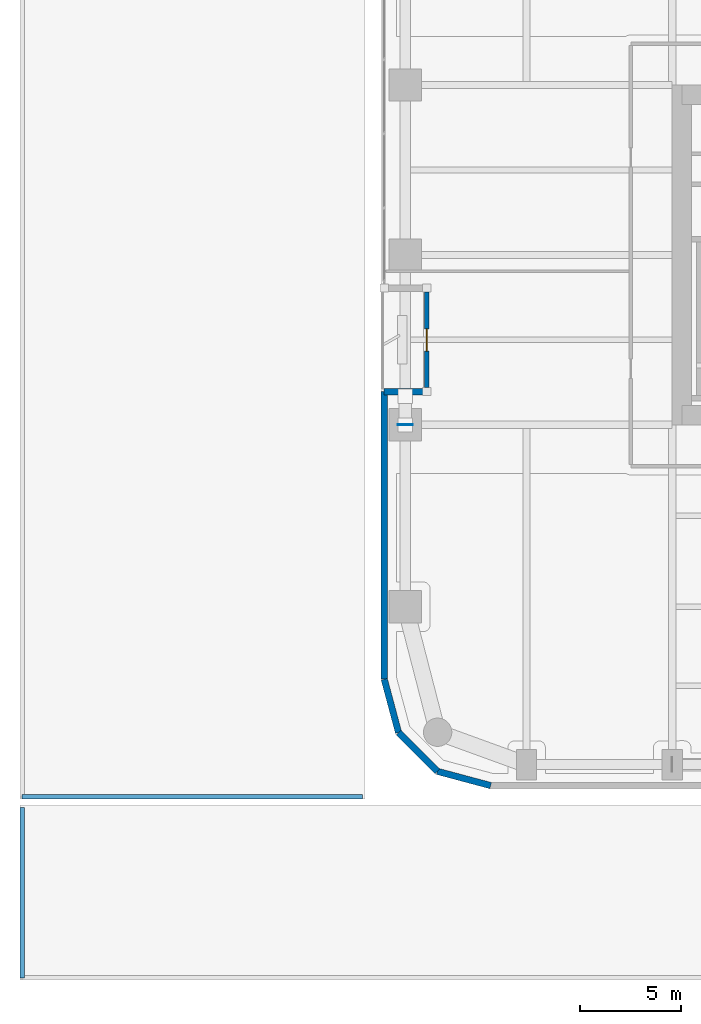
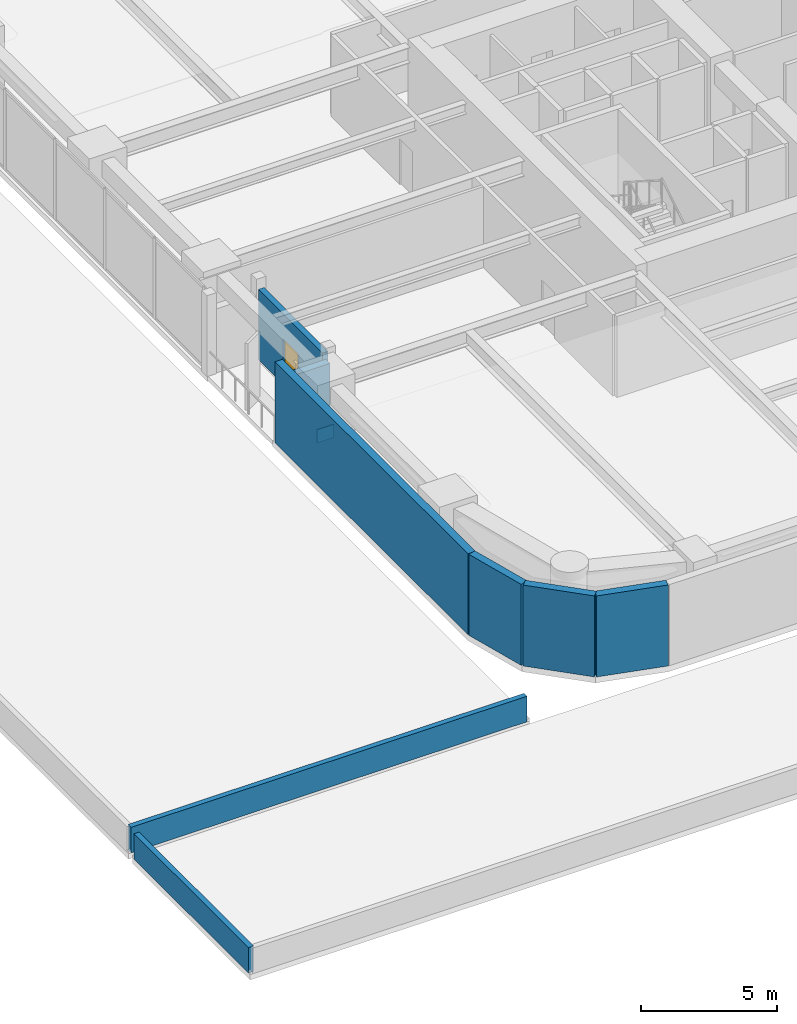
# One storey, part 26 of 38: 8 walls, 1 door, 1 plate, 1 opening.
"""IFC4 building model written with IfcOpenShell, lengths in metres."""

from ifc_helpers import new_model, si_unit, direction, frame, frame_2d, origin, origin_2d, place, context, subcontext, project, spatial, rectangle, extrude, material, layer, layer_set, type_object, element, fill, save


model = new_model("IFC4")

# Units and contexts
model_context = context("Model", 3, precision=1e-05, world=origin(), true_north=direction((0.0, 1.0)))
body_context = subcontext(model_context, "Body", "Model", "MODEL_VIEW")
ifc_project = project(units=[si_unit("LENGTHUNIT", "METRE"), si_unit("AREAUNIT", "SQUARE_METRE"), si_unit("VOLUMEUNIT", "CUBIC_METRE"), si_unit("PLANEANGLEUNIT", "RADIAN"), si_unit("MASSUNIT", "GRAM", prefix="KILO")], contexts=[model_context])

# Site, building, storey
site_placement = place(None, origin())
site = spatial("IfcSite", under=ifc_project, at=site_placement, CompositionType="ELEMENT")
building_placement = place(site_placement, origin())
building = spatial("IfcBuilding", under=site, at=building_placement, Name="Kiyonajd Concourse Tower", CompositionType="ELEMENT")
storey_placement = place(building_placement, frame((0.0, 0.0, 21.60009765625)))
storey = spatial("IfcBuildingStorey", under=building, at=storey_placement, Name="L06", CompositionType="ELEMENT", Elevation=21.60009765625)

# Plate
ifc_material_1 = material(Name="Steel ASTM A572 Grade 50", Category="steel")
ifc_layer_1 = layer(ifc_material_1, 0.60009765625)
ifc_layer_set_1 = layer_set([ifc_layer_1], Name="Steel ASTM A572 Grade 50")
plate_type = type_object("IfcPlateType", Name="PL-GUS-KN1", PredefinedType="USERDEFINED", material=ifc_layer_set_1)
plate_placement = place(storey_placement, frame((19.199951171875, 27.60009765625, 0.699951171875), z_axis=(0.0, 0.0, 1.0), x_axis=(1.0, 0.0, 0.0)))
element("IfcPlate", 1, at=plate_placement, inside=storey, type_object=plate_type, Name="Structural Node Assembly Gusset KN1", ObjectType="GUSSET PLATE", PredefinedType="USERDEFINED", context=body_context, shape_type="SweptSolid", body=[
    extrude(rectangle(XDim=0.719970703125, YDim=0.0400390625, at=origin_2d()), origin(), (0.0, 0.0, 1.0), 0.60009765625),
])

# Walls
ifc_material_2 = material(Name="Precast concrete C50/60", Category="concrete")
ifc_layer_2 = layer(ifc_material_2, 0.320068359375)
ifc_layer_set_2 = layer_set([ifc_layer_2], Name="Precast concrete C50/60")
wall_type_1 = type_object("IfcWallType", Name="WL-EXT-320", PredefinedType="SOLIDWALL", material=ifc_layer_set_2)
wall_1_placement = place(storey_placement, frame((18.866455078125, 12.3828125, 0.0), z_axis=(0.0, 0.0, 1.0), x_axis=(-0.25869736047, 0.965958423373, 0.0)))
element("IfcWall", 2, at=wall_1_placement, inside=storey, type_object=wall_type_1, Name="L06 Exterior Concrete Frame Wall 00", PredefinedType="SOLIDWALL", context=body_context, shape_type="SweptSolid", body=[
    extrude(rectangle(XDim=2.731201171875, YDim=0.320068359375, at=frame_2d((1.36572265625, 0.0))), origin(), (0.0, 0.0, 1.0), 3.639892578125),
])
wall_2_placement = place(storey_placement, frame((18.159912109375, 15.02099609375, 0.0), z_axis=(0.0, 0.0, 1.0), x_axis=(0.0, 1.0, 0.0)))
element("IfcWall", 3, at=wall_2_placement, inside=storey, type_object=wall_type_1, Name="L06 Exterior Concrete Frame Wall 01", PredefinedType="SOLIDWALL", context=body_context, shape_type="SweptSolid", body=[
    extrude(rectangle(XDim=14.218994140625, YDim=0.320068359375, at=frame_2d((7.109375, 0.0))), origin(), (0.0, 0.0, 1.0), 3.639892578125),
])
wall_3_placement = place(storey_placement, frame((18.159912109375, 29.239990234375, 0.0), z_axis=(0.0, 0.0, 1.0), x_axis=(1.0, 0.0, 0.0)))
element("IfcWall", 4, at=wall_3_placement, inside=storey, type_object=wall_type_1, Name="L06 Exterior Concrete Frame Wall 02", PredefinedType="SOLIDWALL", context=body_context, shape_type="SweptSolid", body=[
    extrude(rectangle(XDim=2.10009765625, YDim=0.320068359375, at=frame_2d((1.050048828125, 0.0))), origin(), (0.0, 0.0, 1.0), 2.875),
])
wall_4_placement = place(storey_placement, frame((23.421142578125, 9.760009765625, 0.0), z_axis=(0.0, 0.0, 1.0), x_axis=(-0.965964405026, 0.25867502435, 0.0)))
element("IfcWall", 5, at=wall_4_placement, inside=storey, type_object=wall_type_1, Name="L06 Exterior Concrete Frame Wall 36", PredefinedType="SOLIDWALL", context=body_context, shape_type="SweptSolid", body=[
    extrude(rectangle(XDim=2.7314453125, YDim=0.320068359375, at=frame_2d((1.36572265625, 0.0))), origin(), (0.0, 0.0, 1.0), 3.639892578125),
])
wall_5_placement = place(storey_placement, frame((20.78271484375, 10.466552734375, 0.0), z_axis=(0.0, 0.0, 1.0), x_axis=(-0.707106781187, 0.707106781187, 0.0)))
element("IfcWall", 6, at=wall_5_placement, inside=storey, type_object=wall_type_1, Name="L06 Exterior Concrete Frame Wall 37", PredefinedType="SOLIDWALL", context=body_context, shape_type="SweptSolid", body=[
    extrude(rectangle(XDim=2.7099609375, YDim=0.320068359375, at=frame_2d((1.35498046875, 0.0))), origin(), (0.0, 0.0, 1.0), 3.639892578125),
])

# Wall, opening, door
ifc_layer_3 = layer(ifc_material_2, 0.239990234375)
ifc_layer_set_3 = layer_set([ifc_layer_3], Name="Precast concrete C50/60")
wall_type_2 = type_object("IfcWallType", Name="WL-LOG-240", PredefinedType="SOLIDWALL", material=ifc_layer_set_3)
wall_6_placement = place(storey_placement, frame((20.260009765625, 29.43505859375, 0.0), z_axis=(0.0, 0.0, 1.0), x_axis=(0.0, 1.0, 0.0)))
wall_6 = element("IfcWall", 7, at=wall_6_placement, inside=storey, type_object=wall_type_2, Name="L06 Recessed Loggia Thermal Wall LOG-W", PredefinedType="SOLIDWALL", context=body_context, shape_type="SweptSolid", body=[
    extrude(rectangle(XDim=4.72998046875, YDim=0.239990234375, at=frame_2d((2.364990234375, 0.0))), origin(), (0.0, 0.0, 1.0), 3.161865234375),
])
opening_placement = place(wall_6_placement, frame((1.81494140625, 0.0, 0.0)))
opening = element("IfcOpeningElement", 8, at=opening_placement, cuts=wall_6, Name="Opening DL2", PredefinedType="OPENING", context=body_context, shape_type="SweptSolid", body=[
    extrude(rectangle(XDim=1.10009765625, YDim=2.0400390625, at=frame_2d((0.550048828125, 1.02001953125))), frame((0.0, 0.1298828125, 0.0), z_axis=(0.0, -1.0, 0.0), x_axis=(1.0, 0.0, 0.0)), (0.0, 0.0, 1.0), 0.260009765625),
])
ifc_material_3 = material(Name="Thermally Broken Anodised Aluminium", Category="aluminium")
door_type = type_object("IfcDoorType", Name="DR-LOG-1100", OperationType="NOTDEFINED", PredefinedType="DOOR", material=ifc_material_3)
door_placement = place(opening_placement, origin())
door = element("IfcDoor", 9, at=door_placement, inside=storey, type_object=door_type, Name="L06 Engawa Loggia Access Door LOG-W", OperationType="SINGLE_SWING_LEFT", OverallHeight=2.0400390625, OverallWidth=1.10009765625, PredefinedType="DOOR", context=body_context, shape_type="SweptSolid", body=[
    extrude(rectangle(XDim=1.10009765625, YDim=2.0400390625, at=frame_2d((0.550048828125, 1.02001953125))), frame((0.0, 0.02490234375, 0.0), z_axis=(0.0, -1.0, 0.0), x_axis=(1.0, 0.0, 0.0)), (0.0, 0.0, 1.0), 0.050048828125),
])
fill(opening, door)

# Walls
ifc_layer_4 = layer(ifc_material_2, 0.219970703125)
ifc_layer_set_4 = layer_set([ifc_layer_4], Name="Precast concrete C50/60")
wall_type_3 = type_object("IfcWallType", Name="WL-PAR-220", PredefinedType="PARAPET", material=ifc_layer_set_4)
wall_7_placement = place(storey_placement, frame((0.260009765625, 0.260009765625, 0.0), z_axis=(0.0, 0.0, 1.0), x_axis=(0.0, 1.0, 0.0)))
element("IfcWall", 10, at=wall_7_placement, inside=storey, type_object=wall_type_3, Name="L06 Setback Roof Parapet 02", PredefinedType="PARAPET", context=body_context, shape_type="SweptSolid", body=[
    extrude(rectangle(XDim=8.429931640625, YDim=0.219970703125, at=frame_2d((4.21484375, 0.0))), origin(), (0.0, 0.0, 1.0), 1.14990234375),
])
wall_8_placement = place(storey_placement, frame((17.090087890625, 9.2099609375, 0.0), z_axis=(0.0, 0.0, 1.0), x_axis=(-1.0, 0.0, 0.0)))
element("IfcWall", 11, at=wall_8_placement, inside=storey, type_object=wall_type_3, Name="L06 Setback Roof Parapet 03", PredefinedType="PARAPET", context=body_context, shape_type="SweptSolid", body=[
    extrude(rectangle(XDim=16.830078125, YDim=0.219970703125, at=frame_2d((8.4150390625, 0.0))), origin(), (0.0, 0.0, 1.0), 1.14990234375),
])

save(model, "model.ifc")
